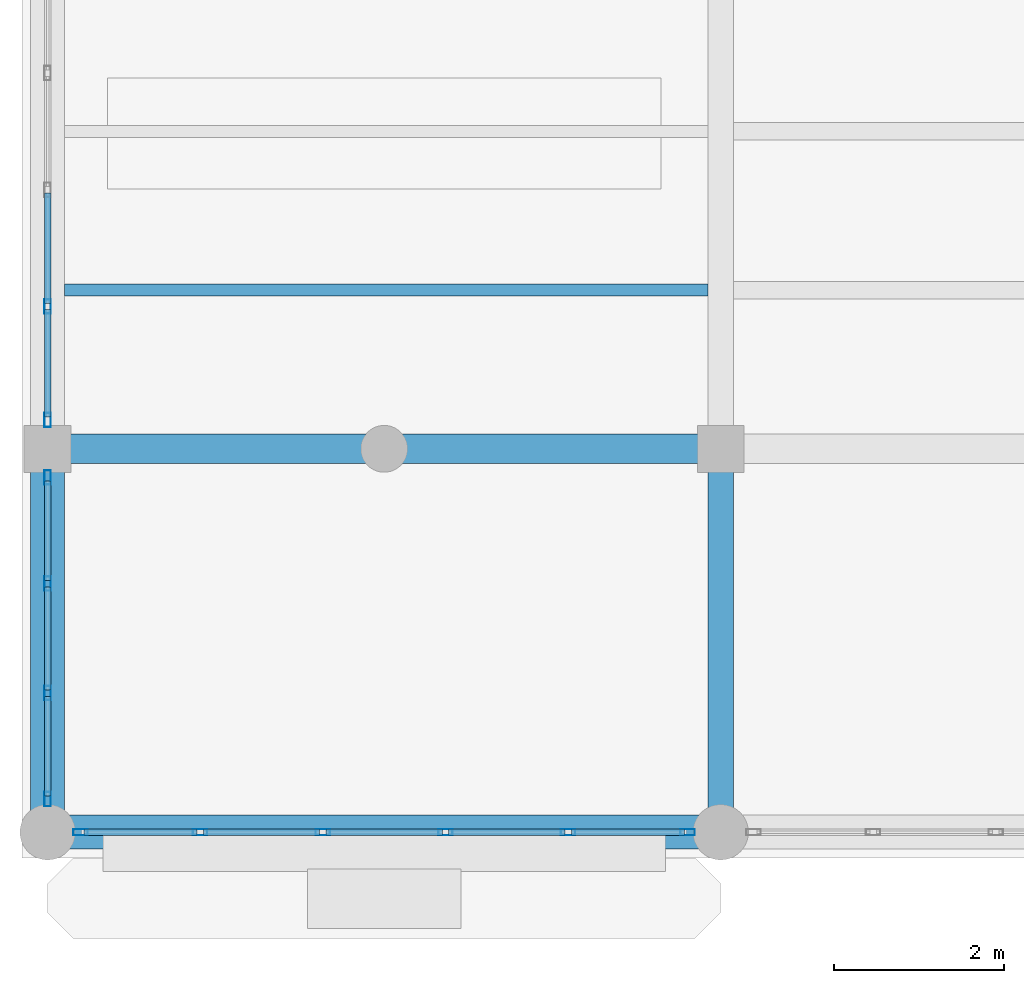
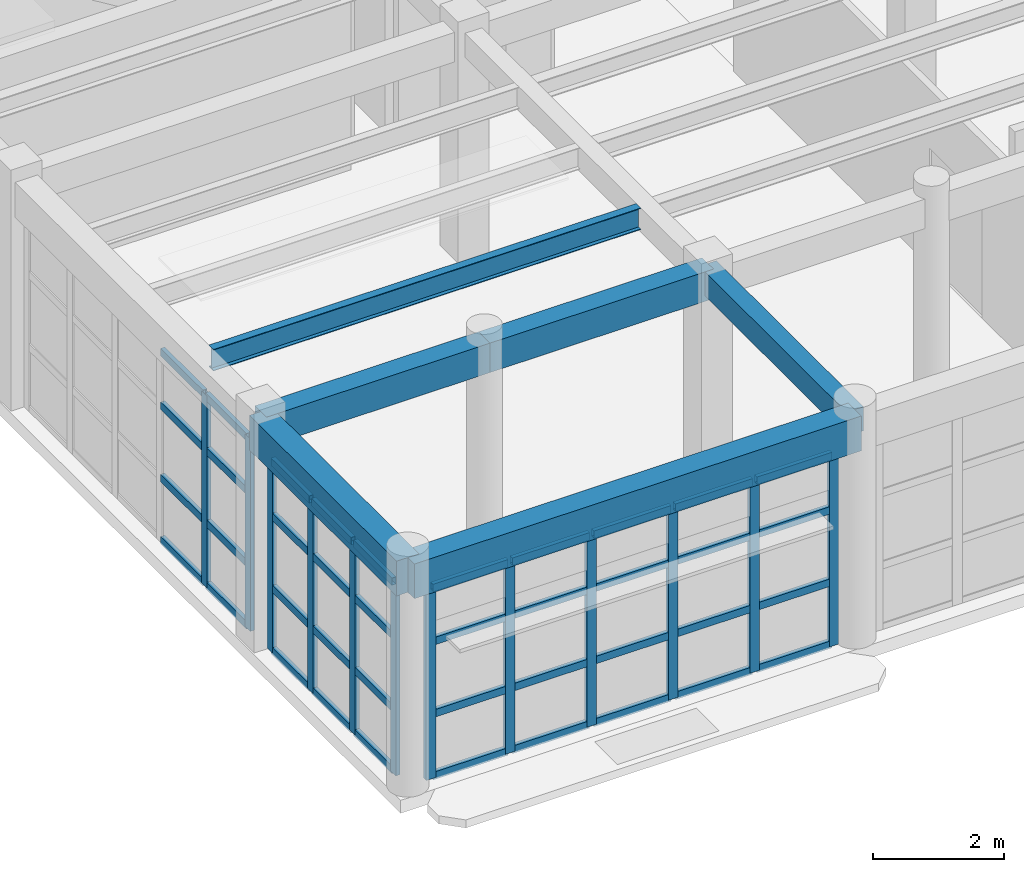
# One storey, part 3 of 85: 52 members, 6 beams, 3 elements without a shape of their own.
"""IFC4 building model written with IfcOpenShell, lengths in metres."""

from ifc_helpers import new_model, si_unit, direction, frame, origin, origin_2d, place, context, subcontext, project, spatial, rectangle, hollow_rectangle, i_section, extrude, material, layer, layer_set, material_profile, profile_set, type_object, element, aggregate, save


model = new_model("IFC4")

# Units and contexts
model_context = context("Model", 3, precision=1e-05, world=origin(), true_north=direction((0.0, 1.0)))
body_context = subcontext(model_context, "Body", "Model", "MODEL_VIEW")
ifc_project = project(units=[si_unit("LENGTHUNIT", "METRE"), si_unit("AREAUNIT", "SQUARE_METRE"), si_unit("VOLUMEUNIT", "CUBIC_METRE"), si_unit("PLANEANGLEUNIT", "RADIAN"), si_unit("MASSUNIT", "GRAM", prefix="KILO")], contexts=[model_context])

# Site, building, storey
site_placement = place(None, origin())
site = spatial("IfcSite", under=ifc_project, at=site_placement, CompositionType="ELEMENT")
building_placement = place(site_placement, origin())
building = spatial("IfcBuilding", under=site, at=building_placement, Name="Candilejo Ridge Gondola Terminal", CompositionType="ELEMENT")
storey_placement = place(building_placement, frame((0.0, 0.0, 4.5)))
storey = spatial("IfcBuildingStorey", under=building, at=storey_placement, Name="L01", CompositionType="ELEMENT", Elevation=4.5)

# Curtain wall, members
ifc_material_1 = material(Name="Anodised aluminium AA 6063-T6", Category="aluminium")
ifc_layer_1 = layer(ifc_material_1, 0.169921875)
ifc_layer_set_1 = layer_set([ifc_layer_1], Name="ARC-CW-CONCOURSE-3600-720X359")
curtain_wall_type_1 = type_object("IfcCurtainWallType", Name="ARC-CW-CONCOURSE-3600-720X359", PredefinedType="NOTDEFINED", material=ifc_layer_set_1)
curtain_wall_1_placement = place(storey_placement, origin())
curtain_wall_1 = element("IfcCurtainWall", 1, at=curtain_wall_1_placement, inside=storey, type_object=curtain_wall_type_1, Name="Curtain wall V1 L01-001", PredefinedType="NOTDEFINED")
ifc_material_2 = material(Name="Anodised aluminium AA 6063-T6", Category="aluminium")
ifc_material_profile_1 = material_profile(ifc_material_2, hollow_rectangle(XDim=0.074951171875, YDim=0.169921875, WallThickness=0.00390625, at=origin_2d()))
ifc_profile_set_1 = profile_set([ifc_material_profile_1], Name="Anodised aluminium AA 6063-T6")
member_type_1 = type_object("IfcMemberType", Name="ARC-CW-MULLION", PredefinedType="MULLION", material=ifc_profile_set_1)
member_1_placement = place(storey_placement, frame((4.6875, 6.300048828125, 0.0), z_axis=(0.0, 0.0, 1.0), x_axis=(0.0, 1.0, 0.0)))
member_1 = element("IfcMember", 2, at=member_1_placement, type_object=member_type_1, Name="CW-72X35 mullion 1", PredefinedType="MULLION", context=body_context, shape_type="SweptSolid", body=[
    extrude(hollow_rectangle(XDim=0.074951171875, YDim=0.169921875, WallThickness=0.00390625, at=origin_2d()), origin(), (0.0, 0.0, 1.0), 3.590087890625),
])
member_2_placement = place(storey_placement, frame((6.090087890625, 6.300048828125, 0.0), z_axis=(0.0, 0.0, 1.0), x_axis=(0.0, 1.0, 0.0)))
member_2 = element("IfcMember", 3, at=member_2_placement, type_object=member_type_1, Name="CW-72X35 mullion 2", PredefinedType="MULLION", context=body_context, shape_type="SweptSolid", body=[
    extrude(hollow_rectangle(XDim=0.074951171875, YDim=0.169921875, WallThickness=0.00390625, at=origin_2d()), origin(), (0.0, 0.0, 1.0), 3.590087890625),
])
member_3_placement = place(storey_placement, frame((7.530029296875, 6.300048828125, 0.0), z_axis=(0.0, 0.0, 1.0), x_axis=(0.0, 1.0, 0.0)))
member_3 = element("IfcMember", 4, at=member_3_placement, type_object=member_type_1, Name="CW-72X35 mullion 3", PredefinedType="MULLION", context=body_context, shape_type="SweptSolid", body=[
    extrude(hollow_rectangle(XDim=0.074951171875, YDim=0.169921875, WallThickness=0.00390625, at=origin_2d()), origin(), (0.0, 0.0, 1.0), 3.590087890625),
])
member_4_placement = place(storey_placement, frame((8.969970703125, 6.300048828125, 0.0), z_axis=(0.0, 0.0, 1.0), x_axis=(0.0, 1.0, 0.0)))
member_4 = element("IfcMember", 5, at=member_4_placement, type_object=member_type_1, Name="CW-72X35 mullion 4", PredefinedType="MULLION", context=body_context, shape_type="SweptSolid", body=[
    extrude(hollow_rectangle(XDim=0.074951171875, YDim=0.169921875, WallThickness=0.00390625, at=origin_2d()), origin(), (0.0, 0.0, 1.0), 3.590087890625),
])
member_5_placement = place(storey_placement, frame((10.409912109375, 6.300048828125, 0.0), z_axis=(0.0, 0.0, 1.0), x_axis=(0.0, 1.0, 0.0)))
member_5 = element("IfcMember", 6, at=member_5_placement, type_object=member_type_1, Name="CW-72X35 mullion 5", PredefinedType="MULLION", context=body_context, shape_type="SweptSolid", body=[
    extrude(hollow_rectangle(XDim=0.074951171875, YDim=0.169921875, WallThickness=0.00390625, at=origin_2d()), origin(), (0.0, 0.0, 1.0), 3.590087890625),
])
member_6_placement = place(storey_placement, frame((11.8125, 6.300048828125, 0.0), z_axis=(0.0, 0.0, 1.0), x_axis=(0.0, 1.0, 0.0)))
member_6 = element("IfcMember", 7, at=member_6_placement, type_object=member_type_1, Name="CW-72X35 mullion 6", PredefinedType="MULLION", context=body_context, shape_type="SweptSolid", body=[
    extrude(hollow_rectangle(XDim=0.074951171875, YDim=0.169921875, WallThickness=0.00390625, at=origin_2d()), origin(), (0.0, 0.0, 1.0), 3.590087890625),
])

ifc_material_3 = material(Name="Anodised aluminium AA 6063-T6", Category="aluminium")
ifc_layer_2 = layer(ifc_material_3, 0.169921875)
ifc_layer_set_2 = layer_set([ifc_layer_2], Name="ARC-CW-CONCOURSE-3600-385X359")
curtain_wall_type_2 = type_object("IfcCurtainWallType", Name="ARC-CW-CONCOURSE-3600-385X359", PredefinedType="NOTDEFINED", material=ifc_layer_set_2)
curtain_wall_2_placement = place(storey_placement, origin())
curtain_wall_2 = element("IfcCurtainWall", 8, at=curtain_wall_2_placement, inside=storey, type_object=curtain_wall_type_2, Name="Curtain wall V1 L01-019", PredefinedType="NOTDEFINED")
member_7_placement = place(storey_placement, frame((4.300048828125, 6.6875, 0.0), z_axis=(0.0, 0.0, 1.0), x_axis=(-1.0, 0.0, 0.0)))
member_7 = element("IfcMember", 9, at=member_7_placement, type_object=member_type_1, Name="CW-38X35 mullion 1", PredefinedType="MULLION", context=body_context, shape_type="SweptSolid", body=[
    extrude(hollow_rectangle(XDim=0.074951171875, YDim=0.169921875, WallThickness=0.00390625, at=origin_2d()), origin(), (0.0, 0.0, 1.0), 3.590087890625),
])
member_8_placement = place(storey_placement, frame((4.300048828125, 7.933349609375, 0.0), z_axis=(0.0, 0.0, 1.0), x_axis=(-1.0, 0.0, 0.0)))
member_8 = element("IfcMember", 10, at=member_8_placement, type_object=member_type_1, Name="CW-38X35 mullion 2", PredefinedType="MULLION", context=body_context, shape_type="SweptSolid", body=[
    extrude(hollow_rectangle(XDim=0.074951171875, YDim=0.169921875, WallThickness=0.00390625, at=origin_2d()), origin(), (0.0, 0.0, 1.0), 3.590087890625),
])
member_9_placement = place(storey_placement, frame((4.300048828125, 9.216552734375, 0.0), z_axis=(0.0, 0.0, 1.0), x_axis=(-1.0, 0.0, 0.0)))
member_9 = element("IfcMember", 11, at=member_9_placement, type_object=member_type_1, Name="CW-38X35 mullion 3", PredefinedType="MULLION", context=body_context, shape_type="SweptSolid", body=[
    extrude(hollow_rectangle(XDim=0.074951171875, YDim=0.169921875, WallThickness=0.00390625, at=origin_2d()), origin(), (0.0, 0.0, 1.0), 3.590087890625),
])
member_10_placement = place(storey_placement, frame((4.300048828125, 10.46240234375, 0.0), z_axis=(0.0, 0.0, 1.0), x_axis=(-1.0, 0.0, 0.0)))
member_10 = element("IfcMember", 12, at=member_10_placement, type_object=member_type_1, Name="CW-38X35 mullion 4", PredefinedType="MULLION", context=body_context, shape_type="SweptSolid", body=[
    extrude(hollow_rectangle(XDim=0.074951171875, YDim=0.169921875, WallThickness=0.00390625, at=origin_2d()), origin(), (0.0, 0.0, 1.0), 3.590087890625),
])

ifc_material_4 = material(Name="Anodised aluminium AA 6063-T6", Category="aluminium")
ifc_layer_3 = layer(ifc_material_4, 0.169921875)
ifc_layer_set_3 = layer_set([ifc_layer_3], Name="ARC-CW-CONCOURSE-3600-685X359")
curtain_wall_type_3 = type_object("IfcCurtainWallType", Name="ARC-CW-CONCOURSE-3600-685X359", PredefinedType="NOTDEFINED", material=ifc_layer_set_3)
curtain_wall_3_placement = place(storey_placement, origin())
curtain_wall_3 = element("IfcCurtainWall", 13, at=curtain_wall_3_placement, inside=storey, type_object=curtain_wall_type_3, Name="Curtain wall V1 L01-020", PredefinedType="NOTDEFINED")
member_11_placement = place(storey_placement, frame((4.300048828125, 11.137451171875, 0.0), z_axis=(0.0, 0.0, 1.0), x_axis=(-1.0, 0.0, 0.0)))
member_11 = element("IfcMember", 14, at=member_11_placement, type_object=member_type_1, Name="CW-68X35 mullion 1", PredefinedType="MULLION", context=body_context, shape_type="SweptSolid", body=[
    extrude(hollow_rectangle(XDim=0.074951171875, YDim=0.169921875, WallThickness=0.00390625, at=origin_2d()), origin(), (0.0, 0.0, 1.0), 3.590087890625),
])
member_12_placement = place(storey_placement, frame((4.300048828125, 12.469970703125, 0.0), z_axis=(0.0, 0.0, 1.0), x_axis=(-1.0, 0.0, 0.0)))
member_12 = element("IfcMember", 15, at=member_12_placement, type_object=member_type_1, Name="CW-68X35 mullion 2", PredefinedType="MULLION", context=body_context, shape_type="SweptSolid", body=[
    extrude(hollow_rectangle(XDim=0.074951171875, YDim=0.169921875, WallThickness=0.00390625, at=origin_2d()), origin(), (0.0, 0.0, 1.0), 3.590087890625),
])

# Member
ifc_material_5 = material(Name="Anodised aluminium AA 6063-T6", Category="aluminium")
ifc_material_profile_2 = material_profile(ifc_material_5, hollow_rectangle(XDim=0.074951171875, YDim=0.139892578125, WallThickness=0.00390625, at=origin_2d()))
ifc_profile_set_2 = profile_set([ifc_material_profile_2], Name="Anodised aluminium AA 6063-T6")
member_type_2 = type_object("IfcMemberType", Name="ARC-CW-TRANSOM", PredefinedType="USERDEFINED", material=ifc_profile_set_2)
member_13_placement = place(storey_placement, frame((4.72509765625, 6.300048828125, 0.03759765625), z_axis=(1.0, 0.0, 0.0), x_axis=(0.0, 1.0, 0.0)))
member_13 = element("IfcMember", 16, at=member_13_placement, type_object=member_type_2, Name="CW-72X35 transom 1.1", ObjectType="TRANSOM", PredefinedType="USERDEFINED", context=body_context, shape_type="SweptSolid", body=[
    extrude(hollow_rectangle(XDim=0.074951171875, YDim=0.139892578125, WallThickness=0.00390625, at=origin_2d()), origin(), (0.0, 0.0, 1.0), 1.327392578125),
])

member_14_placement = place(storey_placement, frame((4.72509765625, 6.300048828125, 1.199951171875), z_axis=(1.0, 0.0, 0.0), x_axis=(0.0, 1.0, 0.0)))
member_14 = element("IfcMember", 17, at=member_14_placement, type_object=member_type_2, Name="CW-72X35 transom 1.2", ObjectType="TRANSOM", PredefinedType="USERDEFINED", context=body_context, shape_type="SweptSolid", body=[
    extrude(hollow_rectangle(XDim=0.074951171875, YDim=0.139892578125, WallThickness=0.00390625, at=origin_2d()), origin(), (0.0, 0.0, 1.0), 1.327392578125),
])

member_15_placement = place(storey_placement, frame((4.72509765625, 6.300048828125, 2.550048828125), z_axis=(1.0, 0.0, 0.0), x_axis=(0.0, 1.0, 0.0)))
member_15 = element("IfcMember", 18, at=member_15_placement, type_object=member_type_2, Name="CW-72X35 transom 1.3", ObjectType="TRANSOM", PredefinedType="USERDEFINED", context=body_context, shape_type="SweptSolid", body=[
    extrude(hollow_rectangle(XDim=0.074951171875, YDim=0.139892578125, WallThickness=0.00390625, at=origin_2d()), origin(), (0.0, 0.0, 1.0), 1.327392578125),
])

member_16_placement = place(storey_placement, frame((4.72509765625, 6.300048828125, 3.552490234375), z_axis=(1.0, 0.0, 0.0), x_axis=(0.0, 1.0, 0.0)))
member_16 = element("IfcMember", 19, at=member_16_placement, type_object=member_type_2, Name="CW-72X35 transom 1.4", ObjectType="TRANSOM", PredefinedType="USERDEFINED", context=body_context, shape_type="SweptSolid", body=[
    extrude(hollow_rectangle(XDim=0.074951171875, YDim=0.139892578125, WallThickness=0.00390625, at=origin_2d()), origin(), (0.0, 0.0, 1.0), 1.327392578125),
])

member_17_placement = place(storey_placement, frame((6.12744140625, 6.300048828125, 0.03759765625), z_axis=(1.0, 0.0, 0.0), x_axis=(0.0, 1.0, 0.0)))
member_17 = element("IfcMember", 20, at=member_17_placement, type_object=member_type_2, Name="CW-72X35 transom 2.1", ObjectType="TRANSOM", PredefinedType="USERDEFINED", context=body_context, shape_type="SweptSolid", body=[
    extrude(hollow_rectangle(XDim=0.074951171875, YDim=0.139892578125, WallThickness=0.00390625, at=origin_2d()), origin(), (0.0, 0.0, 1.0), 1.364990234375),
])

member_18_placement = place(storey_placement, frame((6.12744140625, 6.300048828125, 1.199951171875), z_axis=(1.0, 0.0, 0.0), x_axis=(0.0, 1.0, 0.0)))
member_18 = element("IfcMember", 21, at=member_18_placement, type_object=member_type_2, Name="CW-72X35 transom 2.2", ObjectType="TRANSOM", PredefinedType="USERDEFINED", context=body_context, shape_type="SweptSolid", body=[
    extrude(hollow_rectangle(XDim=0.074951171875, YDim=0.139892578125, WallThickness=0.00390625, at=origin_2d()), origin(), (0.0, 0.0, 1.0), 1.364990234375),
])

member_19_placement = place(storey_placement, frame((6.12744140625, 6.300048828125, 2.550048828125), z_axis=(1.0, 0.0, 0.0), x_axis=(0.0, 1.0, 0.0)))
member_19 = element("IfcMember", 22, at=member_19_placement, type_object=member_type_2, Name="CW-72X35 transom 2.3", ObjectType="TRANSOM", PredefinedType="USERDEFINED", context=body_context, shape_type="SweptSolid", body=[
    extrude(hollow_rectangle(XDim=0.074951171875, YDim=0.139892578125, WallThickness=0.00390625, at=origin_2d()), origin(), (0.0, 0.0, 1.0), 1.364990234375),
])

member_20_placement = place(storey_placement, frame((6.12744140625, 6.300048828125, 3.552490234375), z_axis=(1.0, 0.0, 0.0), x_axis=(0.0, 1.0, 0.0)))
member_20 = element("IfcMember", 23, at=member_20_placement, type_object=member_type_2, Name="CW-72X35 transom 2.4", ObjectType="TRANSOM", PredefinedType="USERDEFINED", context=body_context, shape_type="SweptSolid", body=[
    extrude(hollow_rectangle(XDim=0.074951171875, YDim=0.139892578125, WallThickness=0.00390625, at=origin_2d()), origin(), (0.0, 0.0, 1.0), 1.364990234375),
])

member_21_placement = place(storey_placement, frame((7.5673828125, 6.300048828125, 0.03759765625), z_axis=(1.0, 0.0, 0.0), x_axis=(0.0, 1.0, 0.0)))
member_21 = element("IfcMember", 24, at=member_21_placement, type_object=member_type_2, Name="CW-72X35 transom 3.1", ObjectType="TRANSOM", PredefinedType="USERDEFINED", context=body_context, shape_type="SweptSolid", body=[
    extrude(hollow_rectangle(XDim=0.074951171875, YDim=0.139892578125, WallThickness=0.00390625, at=origin_2d()), origin(), (0.0, 0.0, 1.0), 1.365234375),
])

member_22_placement = place(storey_placement, frame((7.5673828125, 6.300048828125, 1.199951171875), z_axis=(1.0, 0.0, 0.0), x_axis=(0.0, 1.0, 0.0)))
member_22 = element("IfcMember", 25, at=member_22_placement, type_object=member_type_2, Name="CW-72X35 transom 3.2", ObjectType="TRANSOM", PredefinedType="USERDEFINED", context=body_context, shape_type="SweptSolid", body=[
    extrude(hollow_rectangle(XDim=0.074951171875, YDim=0.139892578125, WallThickness=0.00390625, at=origin_2d()), origin(), (0.0, 0.0, 1.0), 1.365234375),
])

member_23_placement = place(storey_placement, frame((7.5673828125, 6.300048828125, 2.550048828125), z_axis=(1.0, 0.0, 0.0), x_axis=(0.0, 1.0, 0.0)))
member_23 = element("IfcMember", 26, at=member_23_placement, type_object=member_type_2, Name="CW-72X35 transom 3.3", ObjectType="TRANSOM", PredefinedType="USERDEFINED", context=body_context, shape_type="SweptSolid", body=[
    extrude(hollow_rectangle(XDim=0.074951171875, YDim=0.139892578125, WallThickness=0.00390625, at=origin_2d()), origin(), (0.0, 0.0, 1.0), 1.365234375),
])

member_24_placement = place(storey_placement, frame((7.5673828125, 6.300048828125, 3.552490234375), z_axis=(1.0, 0.0, 0.0), x_axis=(0.0, 1.0, 0.0)))
member_24 = element("IfcMember", 27, at=member_24_placement, type_object=member_type_2, Name="CW-72X35 transom 3.4", ObjectType="TRANSOM", PredefinedType="USERDEFINED", context=body_context, shape_type="SweptSolid", body=[
    extrude(hollow_rectangle(XDim=0.074951171875, YDim=0.139892578125, WallThickness=0.00390625, at=origin_2d()), origin(), (0.0, 0.0, 1.0), 1.365234375),
])

member_25_placement = place(storey_placement, frame((9.007568359375, 6.300048828125, 0.03759765625), z_axis=(1.0, 0.0, 0.0), x_axis=(0.0, 1.0, 0.0)))
member_25 = element("IfcMember", 28, at=member_25_placement, type_object=member_type_2, Name="CW-72X35 transom 4.1", ObjectType="TRANSOM", PredefinedType="USERDEFINED", context=body_context, shape_type="SweptSolid", body=[
    extrude(hollow_rectangle(XDim=0.074951171875, YDim=0.139892578125, WallThickness=0.00390625, at=origin_2d()), origin(), (0.0, 0.0, 1.0), 1.364990234375),
])

member_26_placement = place(storey_placement, frame((9.007568359375, 6.300048828125, 1.199951171875), z_axis=(1.0, 0.0, 0.0), x_axis=(0.0, 1.0, 0.0)))
member_26 = element("IfcMember", 29, at=member_26_placement, type_object=member_type_2, Name="CW-72X35 transom 4.2", ObjectType="TRANSOM", PredefinedType="USERDEFINED", context=body_context, shape_type="SweptSolid", body=[
    extrude(hollow_rectangle(XDim=0.074951171875, YDim=0.139892578125, WallThickness=0.00390625, at=origin_2d()), origin(), (0.0, 0.0, 1.0), 1.364990234375),
])

member_27_placement = place(storey_placement, frame((9.007568359375, 6.300048828125, 2.550048828125), z_axis=(1.0, 0.0, 0.0), x_axis=(0.0, 1.0, 0.0)))
member_27 = element("IfcMember", 30, at=member_27_placement, type_object=member_type_2, Name="CW-72X35 transom 4.3", ObjectType="TRANSOM", PredefinedType="USERDEFINED", context=body_context, shape_type="SweptSolid", body=[
    extrude(hollow_rectangle(XDim=0.074951171875, YDim=0.139892578125, WallThickness=0.00390625, at=origin_2d()), origin(), (0.0, 0.0, 1.0), 1.364990234375),
])

member_28_placement = place(storey_placement, frame((9.007568359375, 6.300048828125, 3.552490234375), z_axis=(1.0, 0.0, 0.0), x_axis=(0.0, 1.0, 0.0)))
member_28 = element("IfcMember", 31, at=member_28_placement, type_object=member_type_2, Name="CW-72X35 transom 4.4", ObjectType="TRANSOM", PredefinedType="USERDEFINED", context=body_context, shape_type="SweptSolid", body=[
    extrude(hollow_rectangle(XDim=0.074951171875, YDim=0.139892578125, WallThickness=0.00390625, at=origin_2d()), origin(), (0.0, 0.0, 1.0), 1.364990234375),
])

member_29_placement = place(storey_placement, frame((10.447509765625, 6.300048828125, 0.03759765625), z_axis=(1.0, 0.0, 0.0), x_axis=(0.0, 1.0, 0.0)))
member_29 = element("IfcMember", 32, at=member_29_placement, type_object=member_type_2, Name="CW-72X35 transom 5.1", ObjectType="TRANSOM", PredefinedType="USERDEFINED", context=body_context, shape_type="SweptSolid", body=[
    extrude(hollow_rectangle(XDim=0.074951171875, YDim=0.139892578125, WallThickness=0.00390625, at=origin_2d()), origin(), (0.0, 0.0, 1.0), 1.327392578125),
])

member_30_placement = place(storey_placement, frame((10.447509765625, 6.300048828125, 1.199951171875), z_axis=(1.0, 0.0, 0.0), x_axis=(0.0, 1.0, 0.0)))
member_30 = element("IfcMember", 33, at=member_30_placement, type_object=member_type_2, Name="CW-72X35 transom 5.2", ObjectType="TRANSOM", PredefinedType="USERDEFINED", context=body_context, shape_type="SweptSolid", body=[
    extrude(hollow_rectangle(XDim=0.074951171875, YDim=0.139892578125, WallThickness=0.00390625, at=origin_2d()), origin(), (0.0, 0.0, 1.0), 1.327392578125),
])

member_31_placement = place(storey_placement, frame((10.447509765625, 6.300048828125, 2.550048828125), z_axis=(1.0, 0.0, 0.0), x_axis=(0.0, 1.0, 0.0)))
member_31 = element("IfcMember", 34, at=member_31_placement, type_object=member_type_2, Name="CW-72X35 transom 5.3", ObjectType="TRANSOM", PredefinedType="USERDEFINED", context=body_context, shape_type="SweptSolid", body=[
    extrude(hollow_rectangle(XDim=0.074951171875, YDim=0.139892578125, WallThickness=0.00390625, at=origin_2d()), origin(), (0.0, 0.0, 1.0), 1.327392578125),
])

member_32_placement = place(storey_placement, frame((10.447509765625, 6.300048828125, 3.552490234375), z_axis=(1.0, 0.0, 0.0), x_axis=(0.0, 1.0, 0.0)))
member_32 = element("IfcMember", 35, at=member_32_placement, type_object=member_type_2, Name="CW-72X35 transom 5.4", ObjectType="TRANSOM", PredefinedType="USERDEFINED", context=body_context, shape_type="SweptSolid", body=[
    extrude(hollow_rectangle(XDim=0.074951171875, YDim=0.139892578125, WallThickness=0.00390625, at=origin_2d()), origin(), (0.0, 0.0, 1.0), 1.327392578125),
])

aggregate(curtain_wall_1, [member_1, member_2, member_3, member_4, member_5, member_6, member_13, member_14, member_15, member_16, member_17, member_18, member_19, member_20, member_21, member_22, member_23, member_24, member_25, member_26, member_27, member_28, member_29, member_30, member_31, member_32])

member_33_placement = place(storey_placement, frame((4.300048828125, 6.72509765625, 0.03759765625), z_axis=(0.0, 1.0, 0.0), x_axis=(-1.0, 0.0, 0.0)))
member_33 = element("IfcMember", 36, at=member_33_placement, type_object=member_type_2, Name="CW-38X35 transom 1.1", ObjectType="TRANSOM", PredefinedType="USERDEFINED", context=body_context, shape_type="SweptSolid", body=[
    extrude(hollow_rectangle(XDim=0.074951171875, YDim=0.139892578125, WallThickness=0.00390625, at=origin_2d()), origin(), (0.0, 0.0, 1.0), 1.170654296875),
])

member_34_placement = place(storey_placement, frame((4.300048828125, 6.72509765625, 1.199951171875), z_axis=(0.0, 1.0, 0.0), x_axis=(-1.0, 0.0, 0.0)))
member_34 = element("IfcMember", 37, at=member_34_placement, type_object=member_type_2, Name="CW-38X35 transom 1.2", ObjectType="TRANSOM", PredefinedType="USERDEFINED", context=body_context, shape_type="SweptSolid", body=[
    extrude(hollow_rectangle(XDim=0.074951171875, YDim=0.139892578125, WallThickness=0.00390625, at=origin_2d()), origin(), (0.0, 0.0, 1.0), 1.170654296875),
])

member_35_placement = place(storey_placement, frame((4.300048828125, 6.72509765625, 2.550048828125), z_axis=(0.0, 1.0, 0.0), x_axis=(-1.0, 0.0, 0.0)))
member_35 = element("IfcMember", 38, at=member_35_placement, type_object=member_type_2, Name="CW-38X35 transom 1.3", ObjectType="TRANSOM", PredefinedType="USERDEFINED", context=body_context, shape_type="SweptSolid", body=[
    extrude(hollow_rectangle(XDim=0.074951171875, YDim=0.139892578125, WallThickness=0.00390625, at=origin_2d()), origin(), (0.0, 0.0, 1.0), 1.170654296875),
])

member_36_placement = place(storey_placement, frame((4.300048828125, 6.72509765625, 3.552490234375), z_axis=(0.0, 1.0, 0.0), x_axis=(-1.0, 0.0, 0.0)))
member_36 = element("IfcMember", 39, at=member_36_placement, type_object=member_type_2, Name="CW-38X35 transom 1.4", ObjectType="TRANSOM", PredefinedType="USERDEFINED", context=body_context, shape_type="SweptSolid", body=[
    extrude(hollow_rectangle(XDim=0.074951171875, YDim=0.139892578125, WallThickness=0.00390625, at=origin_2d()), origin(), (0.0, 0.0, 1.0), 1.170654296875),
])

member_37_placement = place(storey_placement, frame((4.300048828125, 7.970947265625, 0.03759765625), z_axis=(0.0, 1.0, 0.0), x_axis=(-1.0, 0.0, 0.0)))
member_37 = element("IfcMember", 40, at=member_37_placement, type_object=member_type_2, Name="CW-38X35 transom 2.1", ObjectType="TRANSOM", PredefinedType="USERDEFINED", context=body_context, shape_type="SweptSolid", body=[
    extrude(hollow_rectangle(XDim=0.074951171875, YDim=0.139892578125, WallThickness=0.00390625, at=origin_2d()), origin(), (0.0, 0.0, 1.0), 1.208251953125),
])

member_38_placement = place(storey_placement, frame((4.300048828125, 7.970947265625, 1.199951171875), z_axis=(0.0, 1.0, 0.0), x_axis=(-1.0, 0.0, 0.0)))
member_38 = element("IfcMember", 41, at=member_38_placement, type_object=member_type_2, Name="CW-38X35 transom 2.2", ObjectType="TRANSOM", PredefinedType="USERDEFINED", context=body_context, shape_type="SweptSolid", body=[
    extrude(hollow_rectangle(XDim=0.074951171875, YDim=0.139892578125, WallThickness=0.00390625, at=origin_2d()), origin(), (0.0, 0.0, 1.0), 1.208251953125),
])

member_39_placement = place(storey_placement, frame((4.300048828125, 7.970947265625, 2.550048828125), z_axis=(0.0, 1.0, 0.0), x_axis=(-1.0, 0.0, 0.0)))
member_39 = element("IfcMember", 42, at=member_39_placement, type_object=member_type_2, Name="CW-38X35 transom 2.3", ObjectType="TRANSOM", PredefinedType="USERDEFINED", context=body_context, shape_type="SweptSolid", body=[
    extrude(hollow_rectangle(XDim=0.074951171875, YDim=0.139892578125, WallThickness=0.00390625, at=origin_2d()), origin(), (0.0, 0.0, 1.0), 1.208251953125),
])

member_40_placement = place(storey_placement, frame((4.300048828125, 7.970947265625, 3.552490234375), z_axis=(0.0, 1.0, 0.0), x_axis=(-1.0, 0.0, 0.0)))
member_40 = element("IfcMember", 43, at=member_40_placement, type_object=member_type_2, Name="CW-38X35 transom 2.4", ObjectType="TRANSOM", PredefinedType="USERDEFINED", context=body_context, shape_type="SweptSolid", body=[
    extrude(hollow_rectangle(XDim=0.074951171875, YDim=0.139892578125, WallThickness=0.00390625, at=origin_2d()), origin(), (0.0, 0.0, 1.0), 1.208251953125),
])

member_41_placement = place(storey_placement, frame((4.300048828125, 9.254150390625, 0.03759765625), z_axis=(0.0, 1.0, 0.0), x_axis=(-1.0, 0.0, 0.0)))
member_41 = element("IfcMember", 44, at=member_41_placement, type_object=member_type_2, Name="CW-38X35 transom 3.1", ObjectType="TRANSOM", PredefinedType="USERDEFINED", context=body_context, shape_type="SweptSolid", body=[
    extrude(hollow_rectangle(XDim=0.074951171875, YDim=0.139892578125, WallThickness=0.00390625, at=origin_2d()), origin(), (0.0, 0.0, 1.0), 1.1708984375),
])

member_42_placement = place(storey_placement, frame((4.300048828125, 9.254150390625, 1.199951171875), z_axis=(0.0, 1.0, 0.0), x_axis=(-1.0, 0.0, 0.0)))
member_42 = element("IfcMember", 45, at=member_42_placement, type_object=member_type_2, Name="CW-38X35 transom 3.2", ObjectType="TRANSOM", PredefinedType="USERDEFINED", context=body_context, shape_type="SweptSolid", body=[
    extrude(hollow_rectangle(XDim=0.074951171875, YDim=0.139892578125, WallThickness=0.00390625, at=origin_2d()), origin(), (0.0, 0.0, 1.0), 1.1708984375),
])

member_43_placement = place(storey_placement, frame((4.300048828125, 9.254150390625, 2.550048828125), z_axis=(0.0, 1.0, 0.0), x_axis=(-1.0, 0.0, 0.0)))
member_43 = element("IfcMember", 46, at=member_43_placement, type_object=member_type_2, Name="CW-38X35 transom 3.3", ObjectType="TRANSOM", PredefinedType="USERDEFINED", context=body_context, shape_type="SweptSolid", body=[
    extrude(hollow_rectangle(XDim=0.074951171875, YDim=0.139892578125, WallThickness=0.00390625, at=origin_2d()), origin(), (0.0, 0.0, 1.0), 1.1708984375),
])

member_44_placement = place(storey_placement, frame((4.300048828125, 9.254150390625, 3.552490234375), z_axis=(0.0, 1.0, 0.0), x_axis=(-1.0, 0.0, 0.0)))
member_44 = element("IfcMember", 47, at=member_44_placement, type_object=member_type_2, Name="CW-38X35 transom 3.4", ObjectType="TRANSOM", PredefinedType="USERDEFINED", context=body_context, shape_type="SweptSolid", body=[
    extrude(hollow_rectangle(XDim=0.074951171875, YDim=0.139892578125, WallThickness=0.00390625, at=origin_2d()), origin(), (0.0, 0.0, 1.0), 1.1708984375),
])

aggregate(curtain_wall_2, [member_7, member_8, member_9, member_10, member_33, member_34, member_35, member_36, member_37, member_38, member_39, member_40, member_41, member_42, member_43, member_44])

member_45_placement = place(storey_placement, frame((4.300048828125, 11.175048828125, 0.03759765625), z_axis=(0.0, 1.0, 0.0), x_axis=(-1.0, 0.0, 0.0)))
member_45 = element("IfcMember", 48, at=member_45_placement, type_object=member_type_2, Name="CW-68X35 transom 1.1", ObjectType="TRANSOM", PredefinedType="USERDEFINED", context=body_context, shape_type="SweptSolid", body=[
    extrude(hollow_rectangle(XDim=0.074951171875, YDim=0.139892578125, WallThickness=0.00390625, at=origin_2d()), origin(), (0.0, 0.0, 1.0), 1.257568359375),
])

member_46_placement = place(storey_placement, frame((4.300048828125, 11.175048828125, 1.199951171875), z_axis=(0.0, 1.0, 0.0), x_axis=(-1.0, 0.0, 0.0)))
member_46 = element("IfcMember", 49, at=member_46_placement, type_object=member_type_2, Name="CW-68X35 transom 1.2", ObjectType="TRANSOM", PredefinedType="USERDEFINED", context=body_context, shape_type="SweptSolid", body=[
    extrude(hollow_rectangle(XDim=0.074951171875, YDim=0.139892578125, WallThickness=0.00390625, at=origin_2d()), origin(), (0.0, 0.0, 1.0), 1.257568359375),
])

member_47_placement = place(storey_placement, frame((4.300048828125, 11.175048828125, 2.550048828125), z_axis=(0.0, 1.0, 0.0), x_axis=(-1.0, 0.0, 0.0)))
member_47 = element("IfcMember", 50, at=member_47_placement, type_object=member_type_2, Name="CW-68X35 transom 1.3", ObjectType="TRANSOM", PredefinedType="USERDEFINED", context=body_context, shape_type="SweptSolid", body=[
    extrude(hollow_rectangle(XDim=0.074951171875, YDim=0.139892578125, WallThickness=0.00390625, at=origin_2d()), origin(), (0.0, 0.0, 1.0), 1.257568359375),
])

member_48_placement = place(storey_placement, frame((4.300048828125, 11.175048828125, 3.552490234375), z_axis=(0.0, 1.0, 0.0), x_axis=(-1.0, 0.0, 0.0)))
member_48 = element("IfcMember", 51, at=member_48_placement, type_object=member_type_2, Name="CW-68X35 transom 1.4", ObjectType="TRANSOM", PredefinedType="USERDEFINED", context=body_context, shape_type="SweptSolid", body=[
    extrude(hollow_rectangle(XDim=0.074951171875, YDim=0.139892578125, WallThickness=0.00390625, at=origin_2d()), origin(), (0.0, 0.0, 1.0), 1.257568359375),
])

member_49_placement = place(storey_placement, frame((4.300048828125, 12.507568359375, 0.03759765625), z_axis=(0.0, 1.0, 0.0), x_axis=(-1.0, 0.0, 0.0)))
member_49 = element("IfcMember", 52, at=member_49_placement, type_object=member_type_2, Name="CW-68X35 transom 2.1", ObjectType="TRANSOM", PredefinedType="USERDEFINED", context=body_context, shape_type="SweptSolid", body=[
    extrude(hollow_rectangle(XDim=0.074951171875, YDim=0.139892578125, WallThickness=0.00390625, at=origin_2d()), origin(), (0.0, 0.0, 1.0), 1.294921875),
])

member_50_placement = place(storey_placement, frame((4.300048828125, 12.507568359375, 1.199951171875), z_axis=(0.0, 1.0, 0.0), x_axis=(-1.0, 0.0, 0.0)))
member_50 = element("IfcMember", 53, at=member_50_placement, type_object=member_type_2, Name="CW-68X35 transom 2.2", ObjectType="TRANSOM", PredefinedType="USERDEFINED", context=body_context, shape_type="SweptSolid", body=[
    extrude(hollow_rectangle(XDim=0.074951171875, YDim=0.139892578125, WallThickness=0.00390625, at=origin_2d()), origin(), (0.0, 0.0, 1.0), 1.294921875),
])

member_51_placement = place(storey_placement, frame((4.300048828125, 12.507568359375, 2.550048828125), z_axis=(0.0, 1.0, 0.0), x_axis=(-1.0, 0.0, 0.0)))
member_51 = element("IfcMember", 54, at=member_51_placement, type_object=member_type_2, Name="CW-68X35 transom 2.3", ObjectType="TRANSOM", PredefinedType="USERDEFINED", context=body_context, shape_type="SweptSolid", body=[
    extrude(hollow_rectangle(XDim=0.074951171875, YDim=0.139892578125, WallThickness=0.00390625, at=origin_2d()), origin(), (0.0, 0.0, 1.0), 1.294921875),
])

member_52_placement = place(storey_placement, frame((4.300048828125, 12.507568359375, 3.552490234375), z_axis=(0.0, 1.0, 0.0), x_axis=(-1.0, 0.0, 0.0)))
member_52 = element("IfcMember", 55, at=member_52_placement, type_object=member_type_2, Name="CW-68X35 transom 2.4", ObjectType="TRANSOM", PredefinedType="USERDEFINED", context=body_context, shape_type="SweptSolid", body=[
    extrude(hollow_rectangle(XDim=0.074951171875, YDim=0.139892578125, WallThickness=0.00390625, at=origin_2d()), origin(), (0.0, 0.0, 1.0), 1.294921875),
])

aggregate(curtain_wall_3, [member_11, member_12, member_45, member_46, member_47, member_48, member_49, member_50, member_51, member_52])

# Beams
ifc_material_6 = material(Name="Concrete f'c 35 MPa (C35/45)", Category="concrete")
ifc_material_profile_3 = material_profile(ifc_material_6, rectangle(XDim=0.300048828125, YDim=0.449951171875, at=origin_2d()))
ifc_profile_set_3 = profile_set([ifc_material_profile_3], Name="Concrete f'c 35 MPa (C35/45)")
beam_type_1 = type_object("IfcBeamType", Name="STR-BM-RC300X450", PredefinedType="BEAM", material=ifc_profile_set_3)
beam_1_placement = place(storey_placement, frame((12.199951171875, 6.300048828125, 4.02490234375), z_axis=(0.0, 1.0, 0.0), x_axis=(-1.0, 0.0, 0.0)))
element("IfcBeam", 56, at=beam_1_placement, inside=storey, type_object=beam_type_1, Name="Beam Y V1 L01 Y01-Y02@X02", PredefinedType="BEAM", context=body_context, shape_type="SweptSolid", body=[
    extrude(rectangle(XDim=0.300048828125, YDim=0.449951171875, at=origin_2d()), origin(), (0.0, 0.0, 1.0), 4.5),
])
ifc_material_7 = material(Name="Concrete f'c 35 MPa (C35/45)", Category="concrete")
ifc_material_profile_4 = material_profile(ifc_material_7, rectangle(XDim=0.35009765625, YDim=0.550048828125, at=origin_2d()))
ifc_profile_set_4 = profile_set([ifc_material_profile_4], Name="Concrete f'c 35 MPa (C35/45)")
beam_type_2 = type_object("IfcBeamType", Name="STR-BM-RC350X550", PredefinedType="BEAM", material=ifc_profile_set_4)
for number, where, z_axis, x_axis, name in (
    (57, (4.300048828125, 10.800048828125, 3.97509765625), (1.0, 0.0, 0.0), (0.0, 1.0, 0.0), "Beam X V1 L01 X01-X02@Y02"),
    (58, (8.25, 10.800048828125, 3.97509765625), (1.0, 0.0, 0.0), (0.0, 1.0, 0.0), "Beam X V1 L01 X01-X02@Y02"),
):
    element("IfcBeam", number, at=place(storey_placement, frame(where, z_axis=z_axis, x_axis=x_axis)), inside=storey, type_object=beam_type_2, Name=name, PredefinedType="BEAM", context=body_context, shape_type="SweptSolid", body=[
        extrude(rectangle(XDim=0.35009765625, YDim=0.550048828125, at=origin_2d()), origin(), (0.0, 0.0, 1.0), 3.949951171875),
    ])
ifc_material_8 = material(Name="Steel ASTM A992 Grade 50", Category="steel")
ifc_material_profile_5 = material_profile(ifc_material_8, i_section(OverallWidth=0.139892578125, OverallDepth=0.403076171875, WebThickness=0.007080078125, FlangeThickness=0.01123046875, at=origin_2d()))
ifc_profile_set_5 = profile_set([ifc_material_profile_5], Name="Steel ASTM A992 Grade 50")
beam_type_3 = type_object("IfcBeamType", Name="STR-JST-W410X46", PredefinedType="JOIST", material=ifc_profile_set_5)
beam_2_placement = place(storey_placement, frame((4.5, 12.66259765625, 4.048583984375), z_axis=(1.0, 0.0, 0.0), x_axis=(0.0, 1.0, 0.0)))
element("IfcBeam", 59, at=beam_2_placement, inside=storey, type_object=beam_type_3, Name="Composite joist V1 L01-0117", PredefinedType="JOIST", context=body_context, shape_type="SweptSolid", body=[
    extrude(i_section(OverallWidth=0.139892578125, OverallDepth=0.403076171875, WebThickness=0.007080078125, FlangeThickness=0.01123046875, at=origin_2d()), origin(), (0.0, 0.0, 1.0), 7.550048828125),
])
ifc_material_9 = material(Name="Concrete f'c 35 MPa (C35/45)", Category="concrete")
ifc_material_profile_6 = material_profile(ifc_material_9, rectangle(XDim=0.39990234375, YDim=0.64990234375, at=origin_2d()))
ifc_profile_set_6 = profile_set([ifc_material_profile_6], Name="Concrete f'c 35 MPa (C35/45)")
beam_type_4 = type_object("IfcBeamType", Name="STR-SPN-RC400X650", PredefinedType="SPANDREL", material=ifc_profile_set_6)
beam_3_placement = place(storey_placement, frame((4.300048828125, 6.300048828125, 3.925048828125), z_axis=(1.0, 0.0, 0.0), x_axis=(0.0, 1.0, 0.0)))
element("IfcBeam", 60, at=beam_3_placement, inside=storey, type_object=beam_type_4, Name="Beam X V1 L01 X01-X02@Y01", PredefinedType="SPANDREL", context=body_context, shape_type="SweptSolid", body=[
    extrude(rectangle(XDim=0.39990234375, YDim=0.64990234375, at=origin_2d()), origin(), (0.0, 0.0, 1.0), 7.89990234375),
])
beam_4_placement = place(storey_placement, frame((4.300048828125, 6.300048828125, 3.925048828125), z_axis=(0.0, 1.0, 0.0), x_axis=(-1.0, 0.0, 0.0)))
element("IfcBeam", 61, at=beam_4_placement, inside=storey, type_object=beam_type_4, Name="Beam Y V1 L01 Y01-Y02@X01", PredefinedType="SPANDREL", context=body_context, shape_type="SweptSolid", body=[
    extrude(rectangle(XDim=0.39990234375, YDim=0.64990234375, at=origin_2d()), origin(), (0.0, 0.0, 1.0), 4.5),
])

save(model, "model.ifc")
